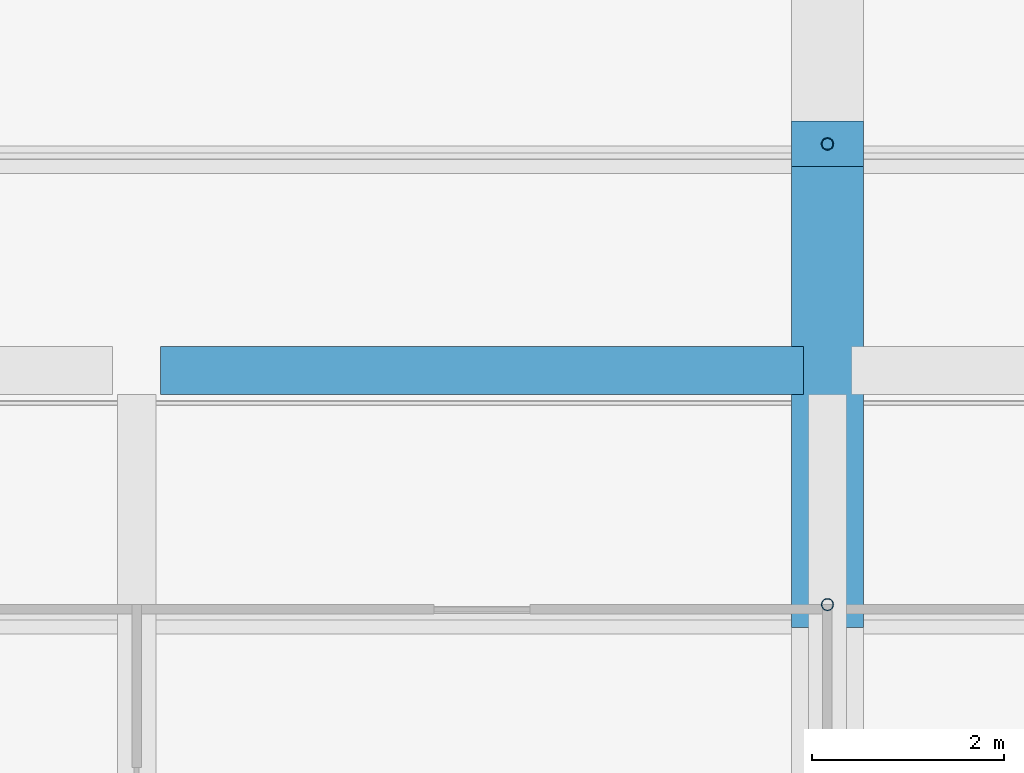
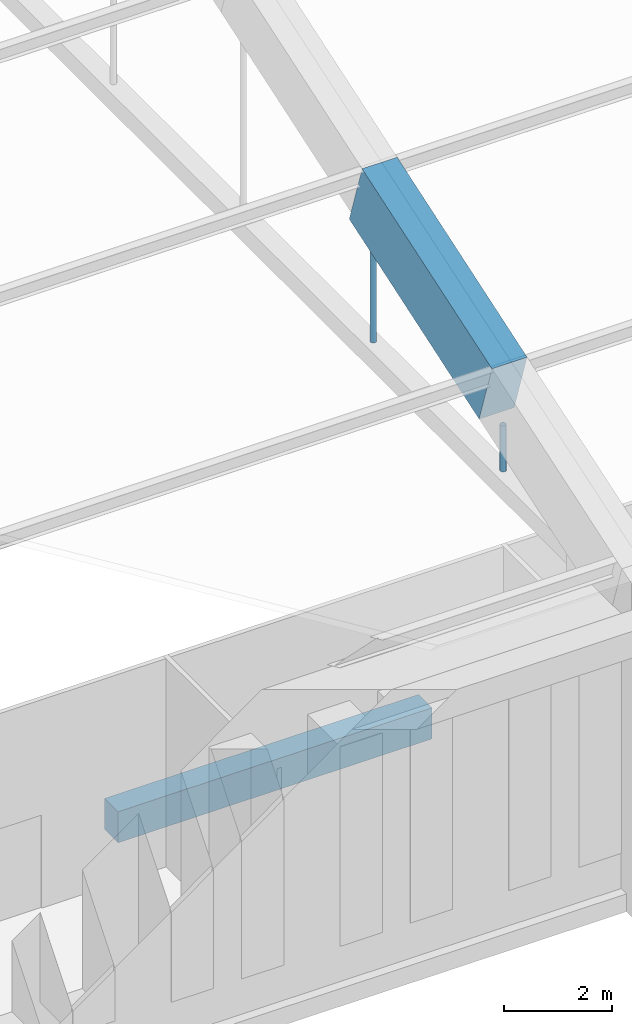
# One storey, part 18 of 149: 2 beams, 2 members.
"""IFC4 building model written with IfcOpenShell, lengths in metres."""

from ifc_helpers import new_model, si_unit, direction, frame, origin, origin_2d, place, context, subcontext, project, spatial, rectangle, hollow_circle, extrude, material, material_profile, profile_set, type_object, element, save


model = new_model("IFC4")

# Units and contexts
model_context = context("Model", 3, precision=1e-05, world=origin(), true_north=direction((0.0, 1.0)))
body_context = subcontext(model_context, "Body", "Model", "MODEL_VIEW")
ifc_project = project(units=[si_unit("LENGTHUNIT", "METRE"), si_unit("AREAUNIT", "SQUARE_METRE"), si_unit("VOLUMEUNIT", "CUBIC_METRE"), si_unit("PLANEANGLEUNIT", "RADIAN"), si_unit("MASSUNIT", "GRAM", prefix="KILO")], contexts=[model_context])

# Site, building, storey
site_placement = place(None, origin())
site = spatial("IfcSite", under=ifc_project, at=site_placement, CompositionType="ELEMENT")
building_placement = place(site_placement, origin())
building = spatial("IfcBuilding", under=site, at=building_placement, Name="Alderwick Market Hall", CompositionType="ELEMENT")
storey_placement = place(building_placement, frame((0.0, 0.0, 9.60009765625)))
storey = spatial("IfcBuildingStorey", under=building, at=storey_placement, Name="L01", CompositionType="ELEMENT", Elevation=9.60009765625)

# Beams
ifc_material_1 = material(Name="Concrete 5000 psi (f'c 35 MPa)", Category="concrete")
ifc_material_profile_1 = material_profile(ifc_material_1, rectangle(XDim=0.5, YDim=0.699951171875, at=origin_2d()), Name="RC 500x700")
ifc_profile_set_1 = profile_set([ifc_material_profile_1], Name="Concrete 5000 psi (f'c 35 MPa)")
beam_type_1 = type_object("IfcBeamType", Name="H Edge beam 500x700", PredefinedType="BEAM", material=ifc_profile_set_1)
beam_1_placement = place(storey_placement, frame((101.050048828125, 57.639892578125, -0.60009765625), z_axis=(1.0, 0.0, 0.0), x_axis=(0.0, 1.0, 0.0)))
element("IfcBeam", 1, at=beam_1_placement, inside=storey, type_object=beam_type_1, Name="Gallery edge beam S", PredefinedType="BEAM", context=body_context, shape_type="SweptSolid", body=[
    extrude(rectangle(XDim=0.5, YDim=0.699951171875, at=origin_2d()), origin(), (0.0, 0.0, 1.0), 6.699951171875),
])
ifc_material_profile_2 = material_profile(ifc_material_1, rectangle(XDim=0.75, YDim=1.5, at=origin_2d()), Name="RC 750x1500")
ifc_profile_set_2 = profile_set([ifc_material_profile_2], Name="Concrete 5000 psi (f'c 35 MPa)")
beam_type_2 = type_object("IfcBeamType", Name="R Arch Rib Springing 750x1500", PredefinedType="BEAM", material=ifc_profile_set_2)
beam_2_placement = place(storey_placement, frame((108.0, 55.199951171875, 8.199951171875), z_axis=(0.0, 0.948692948114, 0.316198814353), x_axis=(-1.0, 0.0, 0.0)))
element("IfcBeam", 2, at=beam_2_placement, inside=storey, type_object=beam_type_2, Name="Arch rib 5 chord 2", PredefinedType="BEAM", context=body_context, shape_type="SweptSolid", body=[
    extrude(rectangle(XDim=0.75, YDim=1.5, at=origin_2d()), origin(), (0.0, 0.0, 1.0), 5.0595703125),
])

# Members
ifc_material_2 = material(Name="Steel ASTM A500 Grade C", Category="steel")
ifc_material_profile_3 = material_profile(ifc_material_2, hollow_circle(Radius=0.0634765625, WallThickness=0.005859375, at=origin_2d()), Name="HSS5.000x0.250")
ifc_profile_set_3 = profile_set([ifc_material_profile_3], Name="Steel ASTM A500 Grade C")
member_type = type_object("IfcMemberType", Name="R Hanger HSS5.000x0.250", PredefinedType="POST", material=ifc_profile_set_3)
member_1_placement = place(storey_placement, frame((108.0, 55.199951171875, 6.35302734375), z_axis=(0.0, 0.0, 1.0), x_axis=(1.0, 0.0, 0.0)))
element("IfcMember", 3, at=member_1_placement, inside=storey, type_object=member_type, Name="Arch hanger 5.1", PredefinedType="POST", context=body_context, shape_type="SweptSolid", body=[
    extrude(hollow_circle(Radius=0.0634765625, WallThickness=0.005859375, at=origin_2d()), origin(), (0.0, 0.0, 1.0), 1.03515625),
])
member_2_placement = place(storey_placement, frame((108.0, 60.0, 6.35302734375), z_axis=(0.0, 0.0, 1.0), x_axis=(1.0, 0.0, 0.0)))
element("IfcMember", 4, at=member_2_placement, inside=storey, type_object=member_type, Name="Arch hanger 5.2", PredefinedType="POST", context=body_context, shape_type="SweptSolid", body=[
    extrude(hollow_circle(Radius=0.0634765625, WallThickness=0.005859375, at=origin_2d()), origin(), (0.0, 0.0, 1.0), 2.63525390625),
])

save(model, "model.ifc")
